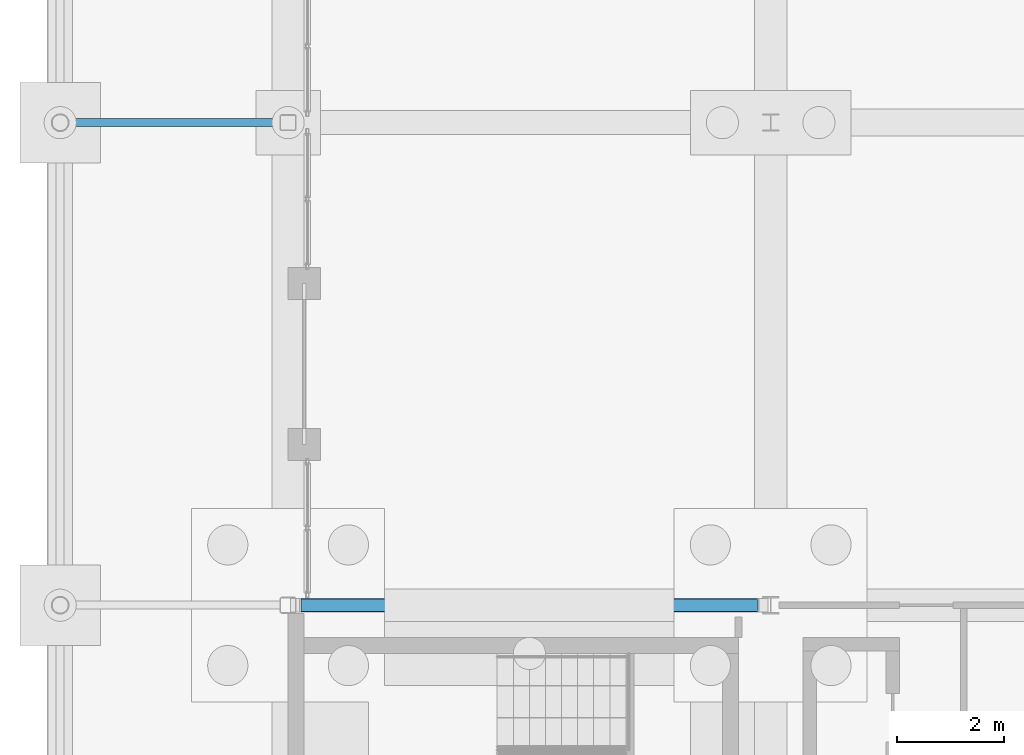
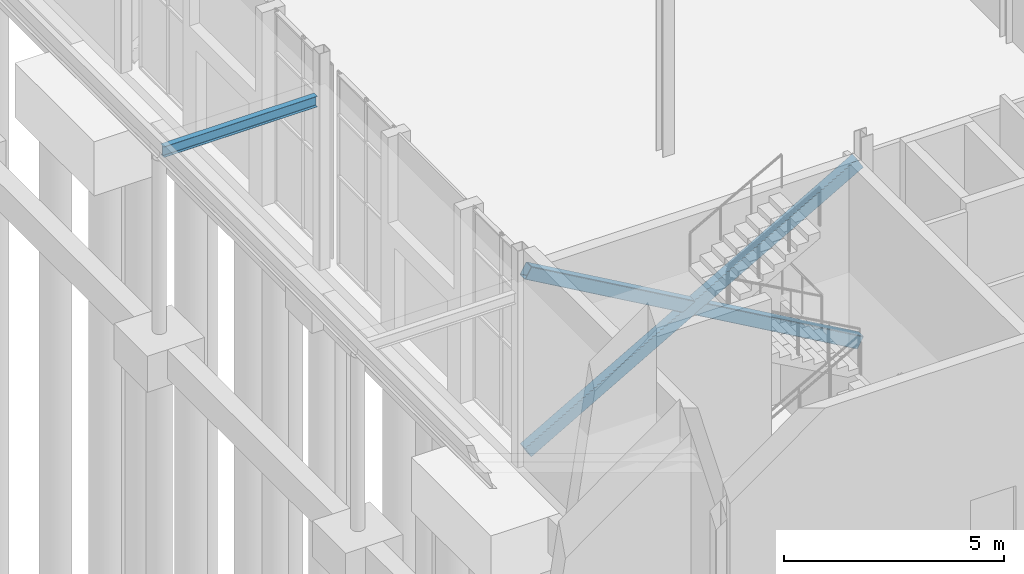
# One storey, part 49 of 139: 2 members, 1 beam.
"""IFC4 building model written with IfcOpenShell, lengths in metres."""

from ifc_helpers import new_model, si_unit, direction, frame, origin, origin_2d, place, context, subcontext, project, spatial, hollow_rectangle, i_section, extrude, material, material_profile, profile_set, type_object, element, save


model = new_model("IFC4")

# Units and contexts
model_context = context("Model", 3, precision=1e-05, world=origin(), true_north=direction((0.0, 1.0)))
body_context = subcontext(model_context, "Body", "Model", "MODEL_VIEW")
ifc_project = project(units=[si_unit("LENGTHUNIT", "METRE"), si_unit("AREAUNIT", "SQUARE_METRE"), si_unit("VOLUMEUNIT", "CUBIC_METRE"), si_unit("PLANEANGLEUNIT", "RADIAN"), si_unit("MASSUNIT", "GRAM", prefix="KILO")], contexts=[model_context])

# Site, building, storey
site_placement = place(None, origin())
site = spatial("IfcSite", under=ifc_project, at=site_placement, CompositionType="ELEMENT")
building_placement = place(site_placement, origin())
building = spatial("IfcBuilding", under=site, at=building_placement, Name="Shorebreak Coast Museum", CompositionType="ELEMENT")
storey_placement = place(building_placement, origin())
storey = spatial("IfcBuildingStorey", under=building, at=storey_placement, Name="L00", CompositionType="ELEMENT", Elevation=0.0)

# Beam
ifc_material_1 = material(Name="Steel Grade 300", Category="steel")
ifc_material_profile_1 = material_profile(ifc_material_1, i_section(OverallWidth=0.14892578125, OverallDepth=0.298095703125, WebThickness=0.005615234375, FlangeThickness=0.008056640625, FilletRadius=0.012939453125, at=origin_2d()), Name="310UB32.0")
ifc_profile_set_1 = profile_set([ifc_material_profile_1], Name="Steel Grade 300")
beam_type = type_object("IfcBeamType", Name="Arcade primary beam 310UB32.0", PredefinedType="BEAM", material=ifc_profile_set_1)
beam_placement = place(storey_placement, frame((-0.14990234375, 72.0, 4.65087890625), z_axis=(-1.0, 0.0, 0.0), x_axis=(0.0, -1.0, 0.0)))
element("IfcBeam", 1, at=beam_placement, inside=storey, type_object=beam_type, Name="Arcade primary beam west 3", PredefinedType="BEAM", context=body_context, shape_type="SweptSolid", body=[
    extrude(i_section(OverallWidth=0.14892578125, OverallDepth=0.298095703125, WebThickness=0.005615234375, FlangeThickness=0.008056640625, FilletRadius=0.012939453125, at=origin_2d()), origin(), (0.0, 0.0, 1.0), 4.025634765625),
])

# Members
ifc_material_2 = material(Name="Steel Grade C450L0", Category="steel")
ifc_material_profile_2 = material_profile(ifc_material_2, hollow_rectangle(XDim=0.25, YDim=0.35009765625, WallThickness=0.012451171875, InnerFilletRadius=0.018798828125, OuterFilletRadius=0.03125, at=origin_2d()), Name="350x250x12.5 RHS")
ifc_profile_set_2 = profile_set([ifc_material_profile_2], Name="Steel Grade C450L0")
member_type = type_object("IfcMemberType", Name="X-brace 350x250x12.5 RHS", PredefinedType="BRACE", material=ifc_profile_set_2)
for number, where, z_axis, x_axis, name in (
    (2, (0.14990234375, 63.0, 0.300048828125), (0.86798657867, 0.0, 0.496587655152), (0.0, 1.0, 0.0), "X-brace bay 05 L00 diagonal 1"),
    (3, (8.845458984375, 63.0, 0.300048828125), (-0.86798657867, 0.0, 0.496587655152), (0.0, -1.0, 0.0), "X-brace bay 05 L00 diagonal 2"),
):
    element("IfcMember", number, at=place(storey_placement, frame(where, z_axis=z_axis, x_axis=x_axis)), inside=storey, type_object=member_type, Name=name, PredefinedType="BRACE", context=body_context, shape_type="SweptSolid", body=[
        extrude(hollow_rectangle(XDim=0.25, YDim=0.35009765625, WallThickness=0.012451171875, InnerFilletRadius=0.018798828125, OuterFilletRadius=0.03125, at=origin_2d()), origin(), (0.0, 0.0, 1.0), 10.01806640625),
    ])

save(model, "model.ifc")
